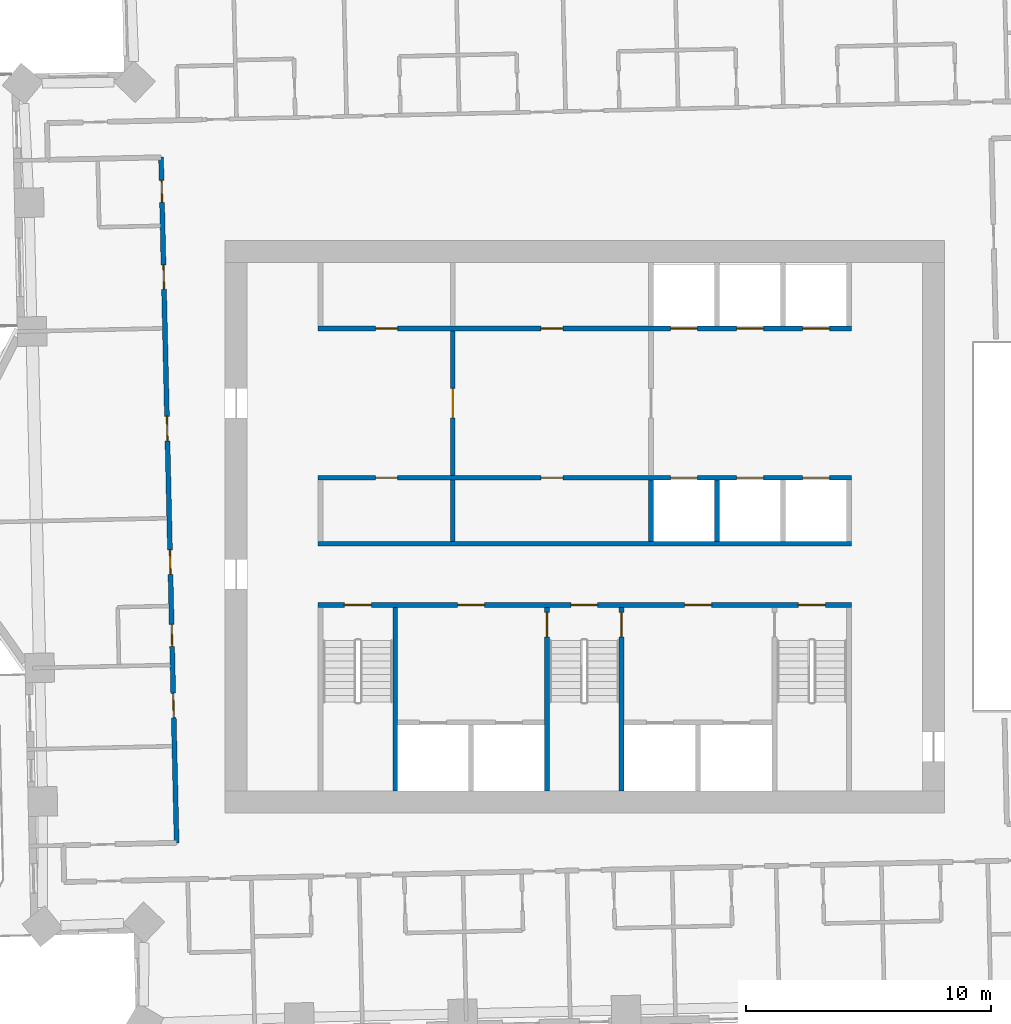
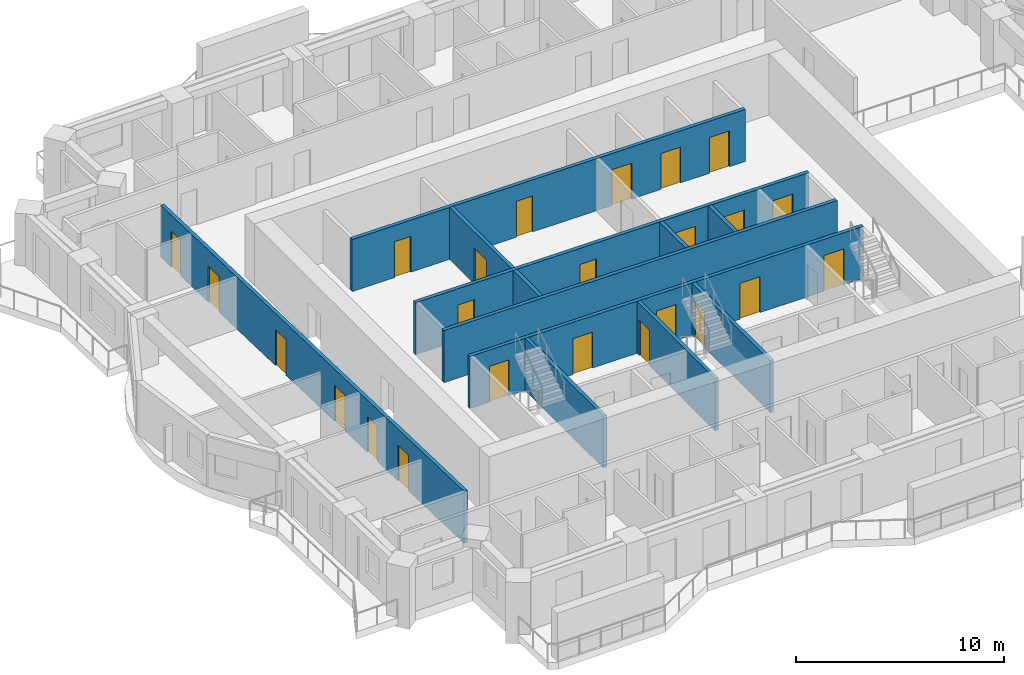
# One storey, part 8 of 16: 24 doors, 12 walls, 24 openings.
"""IFC4 building model written with IfcOpenShell, lengths in metres."""

from ifc_helpers import new_model, si_unit, direction, frame, frame_2d, origin, place, context, subcontext, project, spatial, rectangle, extrude, material, layer, layer_set, type_object, element, fill, save


model = new_model("IFC4")

# Units and contexts
model_context = context("Model", 3, precision=1e-05, world=origin(), true_north=direction((0.0, 1.0)))
body_context = subcontext(model_context, "Body", "Model", "MODEL_VIEW")
ifc_project = project(units=[si_unit("LENGTHUNIT", "METRE"), si_unit("AREAUNIT", "SQUARE_METRE"), si_unit("VOLUMEUNIT", "CUBIC_METRE"), si_unit("PLANEANGLEUNIT", "RADIAN"), si_unit("MASSUNIT", "GRAM", prefix="KILO")], contexts=[model_context])

# Site, building, storey
site_placement = place(None, origin())
site = spatial("IfcSite", under=ifc_project, at=site_placement, CompositionType="ELEMENT")
building_placement = place(site_placement, origin())
building = spatial("IfcBuilding", under=site, at=building_placement, Name="Mangrove Gate Tower", CompositionType="ELEMENT")
storey_placement = place(building_placement, frame((0.0, 0.0, 175.300048828125)))
storey = spatial("IfcBuildingStorey", under=building, at=storey_placement, Name="L44", CompositionType="ELEMENT", Elevation=175.300048828125)

# Wall, opening, door
ifc_material_1 = material(Name="Concrete C32/40", Category="concrete")
ifc_layer_1 = layer(ifc_material_1, 0.199951171875)
ifc_layer_set_1 = layer_set([ifc_layer_1], Name="Core lobby wall 200 C32/40")
wall_type_1 = type_object("IfcWallType", Name="Core lobby wall 200 C32/40", PredefinedType="STANDARD", material=ifc_layer_set_1)
wall_1_placement = place(storey_placement, frame((-5.39990234375, 2.10009765625, 0.0), z_axis=(0.0, 0.0, 1.0), x_axis=(0.0, 1.0, 0.0)))
wall_1 = element("IfcWall", 1, at=wall_1_placement, inside=storey, type_object=wall_type_1, Name="WALL-L44-CORE-31", PredefinedType="STANDARD", context=body_context, shape_type="SweptSolid", body=[
    extrude(rectangle(XDim=5.89990234375, YDim=0.199951171875, at=frame_2d((2.949951171875, 0.0))), origin(), (0.0, 0.0, 1.0), 3.050048828125),
])
opening_1_placement = place(wall_1_placement, frame((2.35009765625, 0.0, 0.0)))
opening_1 = element("IfcOpeningElement", 2, at=opening_1_placement, cuts=wall_1, Name="Opening FL12", PredefinedType="OPENING", context=body_context, shape_type="SweptSolid", body=[
    extrude(rectangle(XDim=1.199951171875, YDim=2.10009765625, at=frame_2d((0.60009765625, 1.050048828125))), frame((0.0, 0.10986328125, 0.0), z_axis=(0.0, -1.0, 0.0), x_axis=(1.0, 0.0, 0.0)), (0.0, 0.0, 1.0), 0.219970703125),
])
ifc_material_2 = material(Name="Fire-rated steel door set", Category="steel")
door_type_1 = type_object("IfcDoorType", Name="Lobby door FD60 1200x2100", OperationType="SINGLE_SWING_LEFT", PredefinedType="DOOR", material=ifc_material_2)
door_1_placement = place(opening_1_placement, origin())
door_1 = element("IfcDoor", 3, at=door_1_placement, inside=storey, type_object=door_type_1, Name="Lobby door lift lobby partition", OperationType="SINGLE_SWING_LEFT", OverallHeight=2.10009765625, OverallWidth=1.199951171875, PredefinedType="DOOR", context=body_context, shape_type="SweptSolid", body=[
    extrude(rectangle(XDim=1.199951171875, YDim=2.10009765625, at=frame_2d((0.60009765625, 1.050048828125))), frame((0.0, 0.02490234375, 0.0), z_axis=(0.0, -1.0, 0.0), x_axis=(1.0, 0.0, 0.0)), (0.0, 0.0, 1.0), 0.050048828125),
])
fill(opening_1, door_1)

# Walls
ifc_material_3 = material(Name="Concrete C32/40", Category="concrete")
ifc_layer_2 = layer(ifc_material_3, 0.199951171875)
ifc_layer_set_2 = layer_set([ifc_layer_2], Name="Core room wall 200 C32/40")
wall_type_2 = type_object("IfcWallType", Name="Core room wall 200 C32/40", PredefinedType="STANDARD", material=ifc_layer_set_2)
wall_2_placement = place(storey_placement, frame((-5.39990234375, -0.60009765625, 0.0), z_axis=(0.0, 0.0, 1.0), x_axis=(0.0, 1.0, 0.0)))
element("IfcWall", 4, at=wall_2_placement, inside=storey, type_object=wall_type_2, Name="WALL-L44-CORE-20", PredefinedType="STANDARD", context=body_context, shape_type="SweptSolid", body=[
    extrude(rectangle(XDim=2.5, YDim=0.199951171875, at=frame_2d((1.25, 0.0))), origin(), (0.0, 0.0, 1.0), 3.050048828125),
])
ifc_material_4 = material(Name="Concrete C60/75", Category="concrete")
ifc_layer_3 = layer(ifc_material_4, 0.199951171875)
ifc_layer_set_3 = layer_set([ifc_layer_3], Name="Core shaft wall 200 C60/75")
wall_type_3 = type_object("IfcWallType", Name="Core shaft wall 200 C60/75", PredefinedType="SHEAR", material=ifc_layer_set_3)
wall_3_placement = place(storey_placement, frame((-10.89990234375, -0.699951171875, 0.0), z_axis=(0.0, 0.0, 1.0), x_axis=(1.0, 0.0, 0.0)))
element("IfcWall", 5, at=wall_3_placement, inside=storey, type_object=wall_type_3, Name="WALL-L44-CORE-6", PredefinedType="SHEAR", context=body_context, shape_type="SweptSolid", body=[
    extrude(rectangle(XDim=21.7998046875, YDim=0.199951171875, at=frame_2d((10.89990234375, 0.0))), origin(), (0.0, 0.0, 1.0), 3.050048828125),
])

# Wall, openings, doors
wall_4_placement = place(storey_placement, frame((-10.89990234375, 2.0, 0.0), z_axis=(0.0, 0.0, 1.0), x_axis=(1.0, 0.0, 0.0)))
wall_4 = element("IfcWall", 6, at=wall_4_placement, inside=storey, type_object=wall_type_3, Name="WALL-L44-CORE-7", PredefinedType="SHEAR", context=body_context, shape_type="SweptSolid", body=[
    extrude(rectangle(XDim=21.7998046875, YDim=0.199951171875, at=frame_2d((10.89990234375, 0.0))), origin(), (0.0, 0.0, 1.0), 3.050048828125),
])
opening_2_placement = place(wall_4_placement, frame((14.39990234375, 0.0, 0.0)))
opening_2 = element("IfcOpeningElement", 7, at=opening_2_placement, cuts=wall_4, Name="Opening LD", PredefinedType="OPENING", context=body_context, shape_type="SweptSolid", body=[
    extrude(rectangle(XDim=1.10009765625, YDim=2.10009765625, at=frame_2d((0.550048828125, 1.050048828125))), frame((0.0, 0.10986328125, 0.0), z_axis=(0.0, -1.0, 0.0), x_axis=(1.0, 0.0, 0.0)), (0.0, 0.0, 1.0), 0.219970703125),
])
opening_3_placement = place(wall_4_placement, frame((17.10009765625, 0.0, 0.0)))
opening_3 = element("IfcOpeningElement", 8, at=opening_3_placement, cuts=wall_4, Name="Opening LD", PredefinedType="OPENING", context=body_context, shape_type="SweptSolid", body=[
    extrude(rectangle(XDim=1.10009765625, YDim=2.10009765625, at=frame_2d((0.550048828125, 1.050048828125))), frame((0.0, 0.10986328125, 0.0), z_axis=(0.0, -1.0, 0.0), x_axis=(1.0, 0.0, 0.0)), (0.0, 0.0, 1.0), 0.219970703125),
])
opening_4_placement = place(wall_4_placement, frame((19.800048828125, 0.0, 0.0)))
opening_4 = element("IfcOpeningElement", 9, at=opening_4_placement, cuts=wall_4, Name="Opening LD", PredefinedType="OPENING", context=body_context, shape_type="SweptSolid", body=[
    extrude(rectangle(XDim=1.10009765625, YDim=2.10009765625, at=frame_2d((0.550048828125, 1.050048828125))), frame((0.0, 0.10986328125, 0.0), z_axis=(0.0, -1.0, 0.0), x_axis=(1.0, 0.0, 0.0)), (0.0, 0.0, 1.0), 0.219970703125),
])
opening_5_placement = place(wall_4_placement, frame((2.35009765625, 0.0, 0.0)))
opening_5 = element("IfcOpeningElement", 10, at=opening_5_placement, cuts=wall_4, Name="Opening KD", PredefinedType="OPENING", context=body_context, shape_type="SweptSolid", body=[
    extrude(rectangle(XDim=0.89990234375, YDim=2.10009765625, at=frame_2d((0.449951171875, 1.050048828125))), frame((0.0, 0.10986328125, 0.0), z_axis=(0.0, -1.0, 0.0), x_axis=(1.0, 0.0, 0.0)), (0.0, 0.0, 1.0), 0.219970703125),
])
opening_6_placement = place(wall_4_placement, frame((9.10009765625, 0.0, 0.0)))
opening_6 = element("IfcOpeningElement", 11, at=opening_6_placement, cuts=wall_4, Name="Opening KD", PredefinedType="OPENING", context=body_context, shape_type="SweptSolid", body=[
    extrude(rectangle(XDim=0.89990234375, YDim=2.10009765625, at=frame_2d((0.449951171875, 1.050048828125))), frame((0.0, 0.10986328125, 0.0), z_axis=(0.0, -1.0, 0.0), x_axis=(1.0, 0.0, 0.0)), (0.0, 0.0, 1.0), 0.219970703125),
])
ifc_material_5 = material(Name="Fire-rated steel door set", Category="steel")
door_type_2 = type_object("IfcDoorType", Name="Core room door FD30S 900x2100", OperationType="SINGLE_SWING_RIGHT", PredefinedType="DOOR", material=ifc_material_5)
door_2_placement = place(opening_5_placement, origin())
door_2 = element("IfcDoor", 12, at=door_2_placement, inside=storey, type_object=door_type_2, Name="Core room door Cleaner's store", OperationType="SINGLE_SWING_RIGHT", OverallHeight=2.10009765625, OverallWidth=0.89990234375, PredefinedType="DOOR", context=body_context, shape_type="SweptSolid", body=[
    extrude(rectangle(XDim=0.89990234375, YDim=2.10009765625, at=frame_2d((0.449951171875, 1.050048828125))), frame((0.0, 0.02490234375, 0.0), z_axis=(0.0, -1.0, 0.0), x_axis=(1.0, 0.0, 0.0)), (0.0, 0.0, 1.0), 0.050048828125),
])
fill(opening_5, door_2)
door_3_placement = place(opening_6_placement, origin())
door_3 = element("IfcDoor", 13, at=door_3_placement, inside=storey, type_object=door_type_2, Name="Core room door Refuse store", OperationType="SINGLE_SWING_RIGHT", OverallHeight=2.10009765625, OverallWidth=0.89990234375, PredefinedType="DOOR", context=body_context, shape_type="SweptSolid", body=[
    extrude(rectangle(XDim=0.89990234375, YDim=2.10009765625, at=frame_2d((0.449951171875, 1.050048828125))), frame((0.0, 0.02490234375, 0.0), z_axis=(0.0, -1.0, 0.0), x_axis=(1.0, 0.0, 0.0)), (0.0, 0.0, 1.0), 0.050048828125),
])
fill(opening_6, door_3)
ifc_material_6 = material(Name="Stainless steel 316", Category="steel")
door_type_3 = type_object("IfcDoorType", Name="Lift landing door 1100x2100", OperationType="SLIDING_TO_LEFT", PredefinedType="DOOR", material=ifc_material_6)
door_4_placement = place(opening_2_placement, origin())
door_4 = element("IfcDoor", 14, at=door_4_placement, inside=storey, type_object=door_type_3, Name="Landing door LD M01", OperationType="SLIDING_TO_LEFT", OverallHeight=2.10009765625, OverallWidth=1.10009765625, PredefinedType="DOOR", context=body_context, shape_type="SweptSolid", body=[
    extrude(rectangle(XDim=1.10009765625, YDim=2.10009765625, at=frame_2d((0.550048828125, 1.050048828125))), frame((0.0, 0.02490234375, 0.0), z_axis=(0.0, -1.0, 0.0), x_axis=(1.0, 0.0, 0.0)), (0.0, 0.0, 1.0), 0.050048828125),
])
fill(opening_2, door_4)
door_5_placement = place(opening_3_placement, origin())
door_5 = element("IfcDoor", 15, at=door_5_placement, inside=storey, type_object=door_type_3, Name="Landing door LD M02", OperationType="SLIDING_TO_LEFT", OverallHeight=2.10009765625, OverallWidth=1.10009765625, PredefinedType="DOOR", context=body_context, shape_type="SweptSolid", body=[
    extrude(rectangle(XDim=1.10009765625, YDim=2.10009765625, at=frame_2d((0.550048828125, 1.050048828125))), frame((0.0, 0.02490234375, 0.0), z_axis=(0.0, -1.0, 0.0), x_axis=(1.0, 0.0, 0.0)), (0.0, 0.0, 1.0), 0.050048828125),
])
fill(opening_3, door_5)
door_6_placement = place(opening_4_placement, origin())
door_6 = element("IfcDoor", 16, at=door_6_placement, inside=storey, type_object=door_type_3, Name="Landing door LD M03", OperationType="SLIDING_TO_LEFT", OverallHeight=2.10009765625, OverallWidth=1.10009765625, PredefinedType="DOOR", context=body_context, shape_type="SweptSolid", body=[
    extrude(rectangle(XDim=1.10009765625, YDim=2.10009765625, at=frame_2d((0.550048828125, 1.050048828125))), frame((0.0, 0.02490234375, 0.0), z_axis=(0.0, -1.0, 0.0), x_axis=(1.0, 0.0, 0.0)), (0.0, 0.0, 1.0), 0.050048828125),
])
fill(opening_4, door_6)

wall_5_placement = place(storey_placement, frame((-10.89990234375, 8.10009765625, 0.0), z_axis=(0.0, 0.0, 1.0), x_axis=(1.0, 0.0, 0.0)))
wall_5 = element("IfcWall", 17, at=wall_5_placement, inside=storey, type_object=wall_type_3, Name="WALL-L44-CORE-8", PredefinedType="SHEAR", context=body_context, shape_type="SweptSolid", body=[
    extrude(rectangle(XDim=21.7998046875, YDim=0.199951171875, at=frame_2d((10.89990234375, 0.0))), origin(), (0.0, 0.0, 1.0), 3.050048828125),
])
opening_7_placement = place(wall_5_placement, frame((14.39990234375, 0.0, 0.0)))
opening_7 = element("IfcOpeningElement", 18, at=opening_7_placement, cuts=wall_5, Name="Opening LD", PredefinedType="OPENING", context=body_context, shape_type="SweptSolid", body=[
    extrude(rectangle(XDim=1.10009765625, YDim=2.10009765625, at=frame_2d((0.550048828125, 1.050048828125))), frame((0.0, 0.10986328125, 0.0), z_axis=(0.0, -1.0, 0.0), x_axis=(1.0, 0.0, 0.0)), (0.0, 0.0, 1.0), 0.219970703125),
])
opening_8_placement = place(wall_5_placement, frame((17.10009765625, 0.0, 0.0)))
opening_8 = element("IfcOpeningElement", 19, at=opening_8_placement, cuts=wall_5, Name="Opening LD", PredefinedType="OPENING", context=body_context, shape_type="SweptSolid", body=[
    extrude(rectangle(XDim=1.10009765625, YDim=2.10009765625, at=frame_2d((0.550048828125, 1.050048828125))), frame((0.0, 0.10986328125, 0.0), z_axis=(0.0, -1.0, 0.0), x_axis=(1.0, 0.0, 0.0)), (0.0, 0.0, 1.0), 0.219970703125),
])
opening_9_placement = place(wall_5_placement, frame((19.800048828125, 0.0, 0.0)))
opening_9 = element("IfcOpeningElement", 20, at=opening_9_placement, cuts=wall_5, Name="Opening LD", PredefinedType="OPENING", context=body_context, shape_type="SweptSolid", body=[
    extrude(rectangle(XDim=1.10009765625, YDim=2.10009765625, at=frame_2d((0.550048828125, 1.050048828125))), frame((0.0, 0.10986328125, 0.0), z_axis=(0.0, -1.0, 0.0), x_axis=(1.0, 0.0, 0.0)), (0.0, 0.0, 1.0), 0.219970703125),
])
opening_10_placement = place(wall_5_placement, frame((2.35009765625, 0.0, 0.0)))
opening_10 = element("IfcOpeningElement", 21, at=opening_10_placement, cuts=wall_5, Name="Opening RD", PredefinedType="OPENING", context=body_context, shape_type="SweptSolid", body=[
    extrude(rectangle(XDim=0.89990234375, YDim=2.10009765625, at=frame_2d((0.449951171875, 1.050048828125))), frame((0.0, 0.10986328125, 0.0), z_axis=(0.0, -1.0, 0.0), x_axis=(1.0, 0.0, 0.0)), (0.0, 0.0, 1.0), 0.219970703125),
])
opening_11_placement = place(wall_5_placement, frame((9.10009765625, 0.0, 0.0)))
opening_11 = element("IfcOpeningElement", 22, at=opening_11_placement, cuts=wall_5, Name="Opening KD", PredefinedType="OPENING", context=body_context, shape_type="SweptSolid", body=[
    extrude(rectangle(XDim=0.89990234375, YDim=2.10009765625, at=frame_2d((0.449951171875, 1.050048828125))), frame((0.0, 0.10986328125, 0.0), z_axis=(0.0, -1.0, 0.0), x_axis=(1.0, 0.0, 0.0)), (0.0, 0.0, 1.0), 0.219970703125),
])
door_7_placement = place(opening_11_placement, origin())
door_7 = element("IfcDoor", 23, at=door_7_placement, inside=storey, type_object=door_type_2, Name="Core room door Linen store", OperationType="SINGLE_SWING_RIGHT", OverallHeight=2.10009765625, OverallWidth=0.89990234375, PredefinedType="DOOR", context=body_context, shape_type="SweptSolid", body=[
    extrude(rectangle(XDim=0.89990234375, YDim=2.10009765625, at=frame_2d((0.449951171875, 1.050048828125))), frame((0.0, 0.02490234375, 0.0), z_axis=(0.0, -1.0, 0.0), x_axis=(1.0, 0.0, 0.0)), (0.0, 0.0, 1.0), 0.050048828125),
])
fill(opening_11, door_7)
door_8_placement = place(opening_7_placement, origin())
door_8 = element("IfcDoor", 24, at=door_8_placement, inside=storey, type_object=door_type_3, Name="Landing door LD M04", OperationType="SLIDING_TO_LEFT", OverallHeight=2.10009765625, OverallWidth=1.10009765625, PredefinedType="DOOR", context=body_context, shape_type="SweptSolid", body=[
    extrude(rectangle(XDim=1.10009765625, YDim=2.10009765625, at=frame_2d((0.550048828125, 1.050048828125))), frame((0.0, 0.02490234375, 0.0), z_axis=(0.0, -1.0, 0.0), x_axis=(1.0, 0.0, 0.0)), (0.0, 0.0, 1.0), 0.050048828125),
])
fill(opening_7, door_8)
door_9_placement = place(opening_8_placement, origin())
door_9 = element("IfcDoor", 25, at=door_9_placement, inside=storey, type_object=door_type_3, Name="Landing door LD M05", OperationType="SLIDING_TO_LEFT", OverallHeight=2.10009765625, OverallWidth=1.10009765625, PredefinedType="DOOR", context=body_context, shape_type="SweptSolid", body=[
    extrude(rectangle(XDim=1.10009765625, YDim=2.10009765625, at=frame_2d((0.550048828125, 1.050048828125))), frame((0.0, 0.02490234375, 0.0), z_axis=(0.0, -1.0, 0.0), x_axis=(1.0, 0.0, 0.0)), (0.0, 0.0, 1.0), 0.050048828125),
])
fill(opening_8, door_9)
door_10_placement = place(opening_9_placement, origin())
door_10 = element("IfcDoor", 26, at=door_10_placement, inside=storey, type_object=door_type_3, Name="Landing door LD M06", OperationType="SLIDING_TO_LEFT", OverallHeight=2.10009765625, OverallWidth=1.10009765625, PredefinedType="DOOR", context=body_context, shape_type="SweptSolid", body=[
    extrude(rectangle(XDim=1.10009765625, YDim=2.10009765625, at=frame_2d((0.550048828125, 1.050048828125))), frame((0.0, 0.02490234375, 0.0), z_axis=(0.0, -1.0, 0.0), x_axis=(1.0, 0.0, 0.0)), (0.0, 0.0, 1.0), 0.050048828125),
])
fill(opening_9, door_10)
ifc_material_7 = material(Name="Fire-rated steel door set", Category="steel")
door_type_4 = type_object("IfcDoorType", Name="Riser door FD30S 900x2100", OperationType="SINGLE_SWING_LEFT", PredefinedType="DOOR", material=ifc_material_7)
door_11_placement = place(opening_10_placement, origin())
door_11 = element("IfcDoor", 27, at=door_11_placement, inside=storey, type_object=door_type_4, Name="Riser door Electrical room", OperationType="SINGLE_SWING_LEFT", OverallHeight=2.10009765625, OverallWidth=0.89990234375, PredefinedType="DOOR", context=body_context, shape_type="SweptSolid", body=[
    extrude(rectangle(XDim=0.89990234375, YDim=2.10009765625, at=frame_2d((0.449951171875, 1.050048828125))), frame((0.0, 0.02490234375, 0.0), z_axis=(0.0, -1.0, 0.0), x_axis=(1.0, 0.0, 0.0)), (0.0, 0.0, 1.0), 0.050048828125),
])
fill(opening_10, door_11)

# Walls
for number, where, z_axis, x_axis, name in (
    (28, (2.699951171875, -0.60009765625, 0.0), (0.0, 0.0, 1.0), (0.0, 1.0, 0.0), "WALL-L44-CORE-21"),
    (29, (5.39990234375, -0.60009765625, 0.0), (0.0, 0.0, 1.0), (0.0, 1.0, 0.0), "WALL-L44-CORE-22"),
):
    element("IfcWall", number, at=place(storey_placement, frame(where, z_axis=z_axis, x_axis=x_axis)), inside=storey, type_object=wall_type_3, Name=name, PredefinedType="SHEAR", context=body_context, shape_type="SweptSolid", body=[
        extrude(rectangle(XDim=2.5, YDim=0.199951171875, at=frame_2d((1.25, 0.0))), origin(), (0.0, 0.0, 1.0), 3.050048828125),
    ])

# Wall, openings, doors
ifc_material_8 = material(Name="Concrete C60/75", Category="concrete")
ifc_layer_4 = layer(ifc_material_8, 0.199951171875)
ifc_layer_set_4 = layer_set([ifc_layer_4], Name="Core stair wall 200 C60/75")
wall_type_4 = type_object("IfcWallType", Name="Core stair wall 200 C60/75", PredefinedType="SHEAR", material=ifc_layer_set_4)
wall_6_placement = place(storey_placement, frame((-10.89990234375, -3.199951171875, 0.0), z_axis=(0.0, 0.0, 1.0), x_axis=(1.0, 0.0, 0.0)))
wall_6 = element("IfcWall", 30, at=wall_6_placement, inside=storey, type_object=wall_type_4, Name="WALL-L44-CORE-5", PredefinedType="SHEAR", context=body_context, shape_type="SweptSolid", body=[
    extrude(rectangle(XDim=21.7998046875, YDim=0.199951171875, at=frame_2d((10.89990234375, 0.0))), origin(), (0.0, 0.0, 1.0), 3.050048828125),
])
opening_12_placement = place(wall_6_placement, frame((1.074951171875, 0.0, 0.0)))
opening_12 = element("IfcOpeningElement", 31, at=opening_12_placement, cuts=wall_6, Name="Opening STD11", PredefinedType="OPENING", context=body_context, shape_type="SweptSolid", body=[
    extrude(rectangle(XDim=1.10009765625, YDim=2.10009765625, at=frame_2d((0.550048828125, 1.050048828125))), frame((0.0, 0.10986328125, 0.0), z_axis=(0.0, -1.0, 0.0), x_axis=(1.0, 0.0, 0.0)), (0.0, 0.0, 1.0), 0.219970703125),
])
opening_13_placement = place(wall_6_placement, frame((10.324951171875, 0.0, 0.0)))
opening_13 = element("IfcOpeningElement", 32, at=opening_13_placement, cuts=wall_6, Name="Opening STD11", PredefinedType="OPENING", context=body_context, shape_type="SweptSolid", body=[
    extrude(rectangle(XDim=1.10009765625, YDim=2.10009765625, at=frame_2d((0.550048828125, 1.050048828125))), frame((0.0, 0.10986328125, 0.0), z_axis=(0.0, -1.0, 0.0), x_axis=(1.0, 0.0, 0.0)), (0.0, 0.0, 1.0), 0.219970703125),
])
opening_14_placement = place(wall_6_placement, frame((19.625, 0.0, 0.0)))
opening_14 = element("IfcOpeningElement", 33, at=opening_14_placement, cuts=wall_6, Name="Opening STD11", PredefinedType="OPENING", context=body_context, shape_type="SweptSolid", body=[
    extrude(rectangle(XDim=1.10009765625, YDim=2.10009765625, at=frame_2d((0.550048828125, 1.050048828125))), frame((0.0, 0.10986328125, 0.0), z_axis=(0.0, -1.0, 0.0), x_axis=(1.0, 0.0, 0.0)), (0.0, 0.0, 1.0), 0.219970703125),
])
opening_15_placement = place(wall_6_placement, frame((5.699951171875, 0.0, 0.0)))
opening_15 = element("IfcOpeningElement", 34, at=opening_15_placement, cuts=wall_6, Name="Opening FL", PredefinedType="OPENING", context=body_context, shape_type="SweptSolid", body=[
    extrude(rectangle(XDim=1.10009765625, YDim=2.10009765625, at=frame_2d((0.550048828125, 1.050048828125))), frame((0.0, 0.10986328125, 0.0), z_axis=(0.0, -1.0, 0.0), x_axis=(1.0, 0.0, 0.0)), (0.0, 0.0, 1.0), 0.219970703125),
])
opening_16_placement = place(wall_6_placement, frame((14.97509765625, 0.0, 0.0)))
opening_16 = element("IfcOpeningElement", 35, at=opening_16_placement, cuts=wall_6, Name="Opening FL", PredefinedType="OPENING", context=body_context, shape_type="SweptSolid", body=[
    extrude(rectangle(XDim=1.10009765625, YDim=2.10009765625, at=frame_2d((0.550048828125, 1.050048828125))), frame((0.0, 0.10986328125, 0.0), z_axis=(0.0, -1.0, 0.0), x_axis=(1.0, 0.0, 0.0)), (0.0, 0.0, 1.0), 0.219970703125),
])
ifc_material_9 = material(Name="Fire-rated steel door set", Category="steel")
door_type_5 = type_object("IfcDoorType", Name="Lobby door FD60 1100x2100", OperationType="SINGLE_SWING_LEFT", PredefinedType="DOOR", material=ifc_material_9)
door_12_placement = place(opening_15_placement, origin())
door_12 = element("IfcDoor", 36, at=door_12_placement, inside=storey, type_object=door_type_5, Name="Lobby door service lobby", OperationType="SINGLE_SWING_LEFT", OverallHeight=2.10009765625, OverallWidth=1.10009765625, PredefinedType="DOOR", context=body_context, shape_type="SweptSolid", body=[
    extrude(rectangle(XDim=1.10009765625, YDim=2.10009765625, at=frame_2d((0.550048828125, 1.050048828125))), frame((0.0, 0.02490234375, 0.0), z_axis=(0.0, -1.0, 0.0), x_axis=(1.0, 0.0, 0.0)), (0.0, 0.0, 1.0), 0.050048828125),
])
fill(opening_15, door_12)
door_13_placement = place(opening_16_placement, origin())
door_13 = element("IfcDoor", 37, at=door_13_placement, inside=storey, type_object=door_type_5, Name="Lobby door fire-fighting lobby", OperationType="SINGLE_SWING_LEFT", OverallHeight=2.10009765625, OverallWidth=1.10009765625, PredefinedType="DOOR", context=body_context, shape_type="SweptSolid", body=[
    extrude(rectangle(XDim=1.10009765625, YDim=2.10009765625, at=frame_2d((0.550048828125, 1.050048828125))), frame((0.0, 0.02490234375, 0.0), z_axis=(0.0, -1.0, 0.0), x_axis=(1.0, 0.0, 0.0)), (0.0, 0.0, 1.0), 0.050048828125),
])
fill(opening_16, door_13)
ifc_material_10 = material(Name="Fire-rated steel door set", Category="steel")
door_type_6 = type_object("IfcDoorType", Name="Stair door FD60 1100x2100", OperationType="SINGLE_SWING_RIGHT", PredefinedType="DOOR", material=ifc_material_10)
door_14_placement = place(opening_12_placement, origin())
door_14 = element("IfcDoor", 38, at=door_14_placement, inside=storey, type_object=door_type_6, Name="Stair door Stair 1", OperationType="SINGLE_SWING_RIGHT", OverallHeight=2.10009765625, OverallWidth=1.10009765625, PredefinedType="DOOR", context=body_context, shape_type="SweptSolid", body=[
    extrude(rectangle(XDim=1.10009765625, YDim=2.10009765625, at=frame_2d((0.550048828125, 1.050048828125))), frame((0.0, 0.02490234375, 0.0), z_axis=(0.0, -1.0, 0.0), x_axis=(1.0, 0.0, 0.0)), (0.0, 0.0, 1.0), 0.050048828125),
])
fill(opening_12, door_14)
door_15_placement = place(opening_13_placement, origin())
door_15 = element("IfcDoor", 39, at=door_15_placement, inside=storey, type_object=door_type_6, Name="Stair door Stair 2", OperationType="SINGLE_SWING_RIGHT", OverallHeight=2.10009765625, OverallWidth=1.10009765625, PredefinedType="DOOR", context=body_context, shape_type="SweptSolid", body=[
    extrude(rectangle(XDim=1.10009765625, YDim=2.10009765625, at=frame_2d((0.550048828125, 1.050048828125))), frame((0.0, 0.02490234375, 0.0), z_axis=(0.0, -1.0, 0.0), x_axis=(1.0, 0.0, 0.0)), (0.0, 0.0, 1.0), 0.050048828125),
])
fill(opening_13, door_15)
door_16_placement = place(opening_14_placement, origin())
door_16 = element("IfcDoor", 40, at=door_16_placement, inside=storey, type_object=door_type_6, Name="Stair door Stair 3", OperationType="SINGLE_SWING_RIGHT", OverallHeight=2.10009765625, OverallWidth=1.10009765625, PredefinedType="DOOR", context=body_context, shape_type="SweptSolid", body=[
    extrude(rectangle(XDim=1.10009765625, YDim=2.10009765625, at=frame_2d((0.550048828125, 1.050048828125))), frame((0.0, 0.02490234375, 0.0), z_axis=(0.0, -1.0, 0.0), x_axis=(1.0, 0.0, 0.0)), (0.0, 0.0, 1.0), 0.050048828125),
])
fill(opening_14, door_16)

# Wall
wall_7_placement = place(storey_placement, frame((-7.75, -10.800048828125, 0.0), z_axis=(0.0, 0.0, 1.0), x_axis=(0.0, 1.0, 0.0)))
element("IfcWall", 41, at=wall_7_placement, inside=storey, type_object=wall_type_4, Name="WALL-L44-CORE-10", PredefinedType="SHEAR", context=body_context, shape_type="SweptSolid", body=[
    extrude(rectangle(XDim=7.5, YDim=0.199951171875, at=frame_2d((3.75, 0.0))), origin(), (0.0, 0.0, 1.0), 3.050048828125),
])

# Wall, opening, door
wall_8_placement = place(storey_placement, frame((-1.550048828125, -10.800048828125, 0.0), z_axis=(0.0, 0.0, 1.0), x_axis=(0.0, 1.0, 0.0)))
wall_8 = element("IfcWall", 42, at=wall_8_placement, inside=storey, type_object=wall_type_4, Name="WALL-L44-CORE-11", PredefinedType="SHEAR", context=body_context, shape_type="SweptSolid", body=[
    extrude(rectangle(XDim=7.5, YDim=0.199951171875, at=frame_2d((3.75, 0.0))), origin(), (0.0, 0.0, 1.0), 3.050048828125),
])
opening_17_placement = place(wall_8_placement, frame((6.300048828125, 0.0, 0.0)))
opening_17 = element("IfcOpeningElement", 43, at=opening_17_placement, cuts=wall_8, Name="Opening STD10", PredefinedType="OPENING", context=body_context, shape_type="SweptSolid", body=[
    extrude(rectangle(XDim=1.0, YDim=2.10009765625, at=frame_2d((0.5, 1.050048828125))), frame((0.0, 0.10986328125, 0.0), z_axis=(0.0, -1.0, 0.0), x_axis=(1.0, 0.0, 0.0)), (0.0, 0.0, 1.0), 0.219970703125),
])
ifc_material_11 = material(Name="Fire-rated steel door set", Category="steel")
door_type_7 = type_object("IfcDoorType", Name="Stair door FD60 1000x2100", OperationType="SINGLE_SWING_RIGHT", PredefinedType="DOOR", material=ifc_material_11)
door_17_placement = place(opening_17_placement, origin())
door_17 = element("IfcDoor", 44, at=door_17_placement, inside=storey, type_object=door_type_7, Name="Stair door Stair 2 from service lobby", OperationType="SINGLE_SWING_RIGHT", OverallHeight=2.10009765625, OverallWidth=1.0, PredefinedType="DOOR", context=body_context, shape_type="SweptSolid", body=[
    extrude(rectangle(XDim=1.0, YDim=2.10009765625, at=frame_2d((0.5, 1.050048828125))), frame((0.0, 0.02490234375, 0.0), z_axis=(0.0, -1.0, 0.0), x_axis=(1.0, 0.0, 0.0)), (0.0, 0.0, 1.0), 0.050048828125),
])
fill(opening_17, door_17)

wall_9_placement = place(storey_placement, frame((1.5, -10.800048828125, 0.0), z_axis=(0.0, 0.0, 1.0), x_axis=(0.0, 1.0, 0.0)))
wall_9 = element("IfcWall", 45, at=wall_9_placement, inside=storey, type_object=wall_type_4, Name="WALL-L44-CORE-12", PredefinedType="SHEAR", context=body_context, shape_type="SweptSolid", body=[
    extrude(rectangle(XDim=7.5, YDim=0.199951171875, at=frame_2d((3.75, 0.0))), origin(), (0.0, 0.0, 1.0), 3.050048828125),
])
opening_18_placement = place(wall_9_placement, frame((6.300048828125, 0.0, 0.0)))
opening_18 = element("IfcOpeningElement", 46, at=opening_18_placement, cuts=wall_9, Name="Opening STD10", PredefinedType="OPENING", context=body_context, shape_type="SweptSolid", body=[
    extrude(rectangle(XDim=1.0, YDim=2.10009765625, at=frame_2d((0.5, 1.050048828125))), frame((0.0, 0.10986328125, 0.0), z_axis=(0.0, -1.0, 0.0), x_axis=(1.0, 0.0, 0.0)), (0.0, 0.0, 1.0), 0.219970703125),
])
door_18_placement = place(opening_18_placement, origin())
door_18 = element("IfcDoor", 47, at=door_18_placement, inside=storey, type_object=door_type_7, Name="Stair door Stair 2 from fire-fighting lobby", OperationType="SINGLE_SWING_RIGHT", OverallHeight=2.10009765625, OverallWidth=1.0, PredefinedType="DOOR", context=body_context, shape_type="SweptSolid", body=[
    extrude(rectangle(XDim=1.0, YDim=2.10009765625, at=frame_2d((0.5, 1.050048828125))), frame((0.0, 0.02490234375, 0.0), z_axis=(0.0, -1.0, 0.0), x_axis=(1.0, 0.0, 0.0)), (0.0, 0.0, 1.0), 0.050048828125),
])
fill(opening_18, door_18)

# Wall, openings, doors
ifc_material_12 = material(Name="Gypsum board on steel stud, EI 60", Category="steel")
ifc_layer_5 = layer(ifc_material_12, 0.199951171875)
ifc_layer_set_5 = layer_set([ifc_layer_5], Name="Corridor wall EI 60")
wall_type_5 = type_object("IfcWallType", Name="Corridor wall EI 60", PredefinedType="PARTITIONING", material=ifc_layer_set_5)
wall_10_placement = place(storey_placement, frame((-16.68408203125, -12.9189453125, 0.0), z_axis=(0.0, 0.0, 1.0), x_axis=(-0.022694293906, 0.999742451346, 0.0)))
wall_10 = element("IfcWall", 48, at=wall_10_placement, inside=storey, type_object=wall_type_5, Name="WALL-L44-029", PredefinedType="PARTITIONING", context=body_context, shape_type="SweptSolid", body=[
    extrude(rectangle(XDim=28.024169921875, YDim=0.199951171875, at=frame_2d((14.01220703125, 0.0))), origin(), (0.0, 0.0, 1.0), 3.050048828125),
])
opening_19_placement = place(wall_10_placement, frame((22.625, 0.0, 0.0)))
opening_19 = element("IfcOpeningElement", 49, at=opening_19_placement, cuts=wall_10, Name="Opening AD", PredefinedType="OPENING", context=body_context, shape_type="SweptSolid", body=[
    extrude(rectangle(XDim=1.0, YDim=2.10009765625, at=frame_2d((0.5, 1.050048828125))), frame((0.0, 0.10986328125, 0.0), z_axis=(0.0, -1.0, 0.0), x_axis=(1.0, 0.0, 0.0)), (0.0, 0.0, 1.0), 0.219970703125),
])
opening_20_placement = place(wall_10_placement, frame((26.174072265625, 0.0, 0.0)))
opening_20 = element("IfcOpeningElement", 50, at=opening_20_placement, cuts=wall_10, Name="Opening SD", PredefinedType="OPENING", context=body_context, shape_type="SweptSolid", body=[
    extrude(rectangle(XDim=0.89990234375, YDim=2.10009765625, at=frame_2d((0.449951171875, 1.050048828125))), frame((0.0, 0.10986328125, 0.0), z_axis=(0.0, -1.0, 0.0), x_axis=(1.0, 0.0, 0.0)), (0.0, 0.0, 1.0), 0.219970703125),
])
opening_21_placement = place(wall_10_placement, frame((16.431884765625, 0.0, 0.0)))
opening_21 = element("IfcOpeningElement", 51, at=opening_21_placement, cuts=wall_10, Name="Opening AD", PredefinedType="OPENING", context=body_context, shape_type="SweptSolid", body=[
    extrude(rectangle(XDim=1.0, YDim=2.10009765625, at=frame_2d((0.5, 1.050048828125))), frame((0.0, 0.10986328125, 0.0), z_axis=(0.0, -1.0, 0.0), x_axis=(1.0, 0.0, 0.0)), (0.0, 0.0, 1.0), 0.219970703125),
])
opening_22_placement = place(wall_10_placement, frame((10.97509765625, 0.0, 0.0)))
opening_22 = element("IfcOpeningElement", 52, at=opening_22_placement, cuts=wall_10, Name="Opening AD", PredefinedType="OPENING", context=body_context, shape_type="SweptSolid", body=[
    extrude(rectangle(XDim=1.0, YDim=2.10009765625, at=frame_2d((0.5, 1.050048828125))), frame((0.0, 0.10986328125, 0.0), z_axis=(0.0, -1.0, 0.0), x_axis=(1.0, 0.0, 0.0)), (0.0, 0.0, 1.0), 0.219970703125),
])
opening_23_placement = place(wall_10_placement, frame((8.02490234375, 0.0, 0.0)))
opening_23 = element("IfcOpeningElement", 53, at=opening_23_placement, cuts=wall_10, Name="Opening SD", PredefinedType="OPENING", context=body_context, shape_type="SweptSolid", body=[
    extrude(rectangle(XDim=0.89990234375, YDim=2.10009765625, at=frame_2d((0.449951171875, 1.050048828125))), frame((0.0, 0.10986328125, 0.0), z_axis=(0.0, -1.0, 0.0), x_axis=(1.0, 0.0, 0.0)), (0.0, 0.0, 1.0), 0.219970703125),
])
opening_24_placement = place(wall_10_placement, frame((5.113037109375, 0.0, 0.0)))
opening_24 = element("IfcOpeningElement", 54, at=opening_24_placement, cuts=wall_10, Name="Opening AD", PredefinedType="OPENING", context=body_context, shape_type="SweptSolid", body=[
    extrude(rectangle(XDim=1.0, YDim=2.10009765625, at=frame_2d((0.5, 1.050048828125))), frame((0.0, 0.10986328125, 0.0), z_axis=(0.0, -1.0, 0.0), x_axis=(1.0, 0.0, 0.0)), (0.0, 0.0, 1.0), 0.219970703125),
])
ifc_material_13 = material(Name="Timber door leaf", Category="wood")
door_type_8 = type_object("IfcDoorType", Name="Amenity door 1000", OperationType="SINGLE_SWING_LEFT", PredefinedType="DOOR", material=ifc_material_13)
door_19_placement = place(opening_19_placement, origin())
door_19 = element("IfcDoor", 55, at=door_19_placement, inside=storey, type_object=door_type_8, Name="DOOR-L44-LNG-c5a", OperationType="SINGLE_SWING_LEFT", OverallHeight=2.10009765625, OverallWidth=1.0, PredefinedType="DOOR", context=body_context, shape_type="SweptSolid", body=[
    extrude(rectangle(XDim=1.0, YDim=2.10009765625, at=frame_2d((0.5, 1.050048828125))), frame((0.0, 0.02490234375, 0.0), z_axis=(0.0, -1.0, 0.0), x_axis=(1.0, 0.0, 0.0)), (0.0, 0.0, 1.0), 0.050048828125),
])
fill(opening_19, door_19)
door_20_placement = place(opening_21_placement, origin())
door_20 = element("IfcDoor", 56, at=door_20_placement, inside=storey, type_object=door_type_8, Name="DOOR-L44-LNG-c5b", OperationType="SINGLE_SWING_RIGHT", OverallHeight=2.10009765625, OverallWidth=1.0, PredefinedType="DOOR", context=body_context, shape_type="SweptSolid", body=[
    extrude(rectangle(XDim=1.0, YDim=2.10009765625, at=frame_2d((0.5, 1.050048828125))), frame((0.0, 0.02490234375, 0.0), z_axis=(0.0, -1.0, 0.0), x_axis=(1.0, 0.0, 0.0)), (0.0, 0.0, 1.0), 0.050048828125),
])
fill(opening_21, door_20)
door_21_placement = place(opening_22_placement, origin())
door_21 = element("IfcDoor", 57, at=door_21_placement, inside=storey, type_object=door_type_8, Name="DOOR-L44-GAM-c5a", OperationType="SINGLE_SWING_LEFT", OverallHeight=2.10009765625, OverallWidth=1.0, PredefinedType="DOOR", context=body_context, shape_type="SweptSolid", body=[
    extrude(rectangle(XDim=1.0, YDim=2.10009765625, at=frame_2d((0.5, 1.050048828125))), frame((0.0, 0.02490234375, 0.0), z_axis=(0.0, -1.0, 0.0), x_axis=(1.0, 0.0, 0.0)), (0.0, 0.0, 1.0), 0.050048828125),
])
fill(opening_22, door_21)
door_22_placement = place(opening_24_placement, origin())
door_22 = element("IfcDoor", 58, at=door_22_placement, inside=storey, type_object=door_type_8, Name="DOOR-L44-STU-c5a", OperationType="SINGLE_SWING_RIGHT", OverallHeight=2.10009765625, OverallWidth=1.0, PredefinedType="DOOR", context=body_context, shape_type="SweptSolid", body=[
    extrude(rectangle(XDim=1.0, YDim=2.10009765625, at=frame_2d((0.5, 1.050048828125))), frame((0.0, 0.02490234375, 0.0), z_axis=(0.0, -1.0, 0.0), x_axis=(1.0, 0.0, 0.0)), (0.0, 0.0, 1.0), 0.050048828125),
])
fill(opening_24, door_22)
ifc_material_14 = material(Name="Timber door leaf", Category="wood")
door_type_9 = type_object("IfcDoorType", Name="Service room door 900", OperationType="SINGLE_SWING_LEFT", PredefinedType="DOOR", material=ifc_material_14)
door_23_placement = place(opening_20_placement, origin())
door_23 = element("IfcDoor", 59, at=door_23_placement, inside=storey, type_object=door_type_9, Name="DOOR-L44-LDY-c5a", OperationType="SINGLE_SWING_LEFT", OverallHeight=2.10009765625, OverallWidth=0.89990234375, PredefinedType="DOOR", context=body_context, shape_type="SweptSolid", body=[
    extrude(rectangle(XDim=0.89990234375, YDim=2.10009765625, at=frame_2d((0.449951171875, 1.050048828125))), frame((0.0, 0.02490234375, 0.0), z_axis=(0.0, -1.0, 0.0), x_axis=(1.0, 0.0, 0.0)), (0.0, 0.0, 1.0), 0.050048828125),
])
fill(opening_20, door_23)
door_24_placement = place(opening_23_placement, origin())
door_24 = element("IfcDoor", 60, at=door_24_placement, inside=storey, type_object=door_type_9, Name="DOOR-L44-LIN-c5b", OperationType="SINGLE_SWING_RIGHT", OverallHeight=2.10009765625, OverallWidth=0.89990234375, PredefinedType="DOOR", context=body_context, shape_type="SweptSolid", body=[
    extrude(rectangle(XDim=0.89990234375, YDim=2.10009765625, at=frame_2d((0.449951171875, 1.050048828125))), frame((0.0, 0.02490234375, 0.0), z_axis=(0.0, -1.0, 0.0), x_axis=(1.0, 0.0, 0.0)), (0.0, 0.0, 1.0), 0.050048828125),
])
fill(opening_23, door_24)

save(model, "model.ifc")
